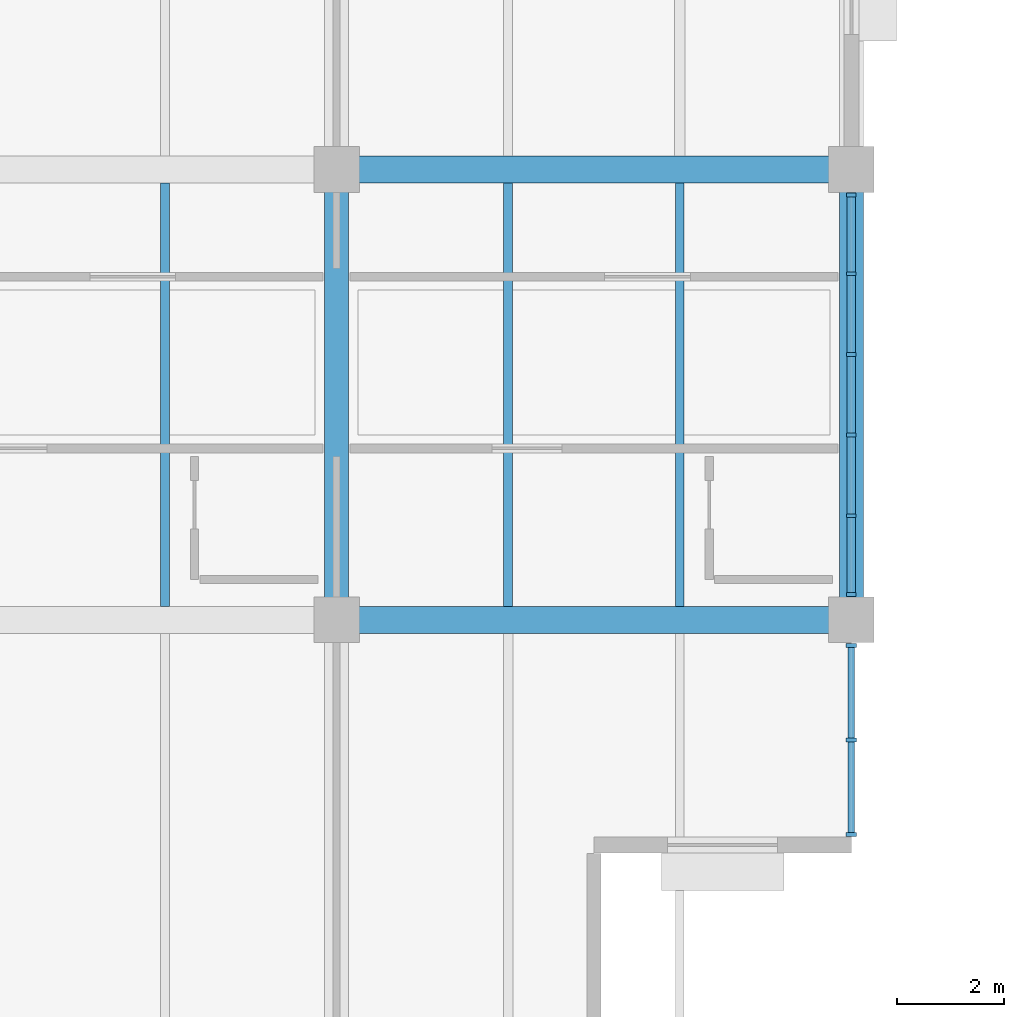
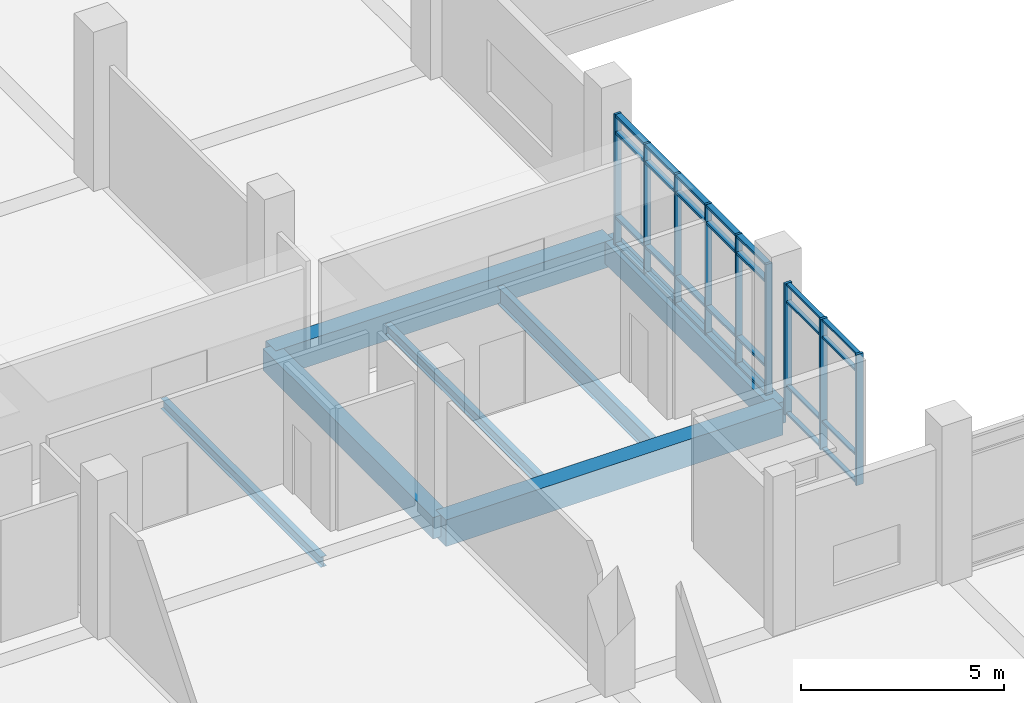
# One storey, part 67 of 152: 37 members, 7 beams, 2 elements without a shape of their own.
"""IFC4 building model written with IfcOpenShell, lengths in metres."""

from ifc_helpers import new_model, si_unit, direction, frame, origin, origin_2d, place, context, subcontext, project, spatial, rectangle, i_section, extrude, material, material_profile, profile_set, type_object, element, aggregate, save


model = new_model("IFC4")

# Units and contexts
model_context = context("Model", 3, precision=1e-05, world=origin(), true_north=direction((0.0, 1.0)))
body_context = subcontext(model_context, "Body", "Model", "MODEL_VIEW")
ifc_project = project(units=[si_unit("LENGTHUNIT", "METRE"), si_unit("AREAUNIT", "SQUARE_METRE"), si_unit("VOLUMEUNIT", "CUBIC_METRE"), si_unit("PLANEANGLEUNIT", "RADIAN"), si_unit("MASSUNIT", "GRAM", prefix="KILO")], contexts=[model_context])

# Site, building, storey
site_placement = place(None, origin())
site = spatial("IfcSite", under=ifc_project, at=site_placement, CompositionType="ELEMENT")
building_placement = place(site_placement, origin())
building = spatial("IfcBuilding", under=site, at=building_placement, Name="Oolite Switchyard Hospital", CompositionType="ELEMENT")
storey_placement = place(building_placement, frame((0.0, 0.0, 5.10009765625)))
storey = spatial("IfcBuildingStorey", under=building, at=storey_placement, Name="L01", CompositionType="ELEMENT", Elevation=5.10009765625)

# Beams
ifc_material_1 = material(Name="Concrete C40/50", Category="concrete")
ifc_material_profile_1 = material_profile(ifc_material_1, rectangle(XDim=0.449951171875, YDim=0.64990234375, at=origin_2d()), Name="RCB450X650")
ifc_profile_set_1 = profile_set([ifc_material_profile_1], Name="Concrete C40/50")
beam_type_1 = type_object("IfcBeamType", Name="BM-RC450X650", PredefinedType="BEAM", material=ifc_profile_set_1)
for number, where, z_axis, x_axis, name in (
    (1, (163.199951171875, 84.0, -0.3251953125), (0.0, 1.0, 0.0), (-1.0, 0.0, 0.0), "L01 Y-Girder 493"),
    (2, (172.800048828125, 84.0, -0.3251953125), (0.0, 1.0, 0.0), (-1.0, 0.0, 0.0), "L01 Y-Girder 503"),
):
    element("IfcBeam", number, at=place(storey_placement, frame(where, z_axis=z_axis, x_axis=x_axis)), inside=storey, type_object=beam_type_1, Name=name, PredefinedType="BEAM", context=body_context, shape_type="SweptSolid", body=[
        extrude(rectangle(XDim=0.449951171875, YDim=0.64990234375, at=origin_2d()), origin(), (0.0, 0.0, 1.0), 8.39990234375),
    ])
ifc_material_profile_2 = material_profile(ifc_material_1, rectangle(XDim=0.5, YDim=0.800048828125, at=origin_2d()), Name="RCB500X800")
ifc_profile_set_2 = profile_set([ifc_material_profile_2], Name="Concrete C40/50")
beam_type_2 = type_object("IfcBeamType", Name="BM-RC500X800", PredefinedType="BEAM", material=ifc_profile_set_2)
for number, where, z_axis, x_axis, name in (
    (3, (163.199951171875, 84.0, -0.400146484375), (1.0, 0.0, 0.0), (0.0, 1.0, 0.0), "L01 X-Girder 180"),
    (4, (163.199951171875, 92.39990234375, -0.400146484375), (1.0, 0.0, 0.0), (0.0, 1.0, 0.0), "L01 X-Girder 196"),
):
    element("IfcBeam", number, at=place(storey_placement, frame(where, z_axis=z_axis, x_axis=x_axis)), inside=storey, type_object=beam_type_2, Name=name, PredefinedType="BEAM", context=body_context, shape_type="SweptSolid", body=[
        extrude(rectangle(XDim=0.5, YDim=0.800048828125, at=origin_2d()), origin(), (0.0, 0.0, 1.0), 9.60009765625),
    ])
ifc_material_2 = material(Name="Steel ASTM A992 Grade 50", Category="steel")
ifc_material_profile_3 = material_profile(ifc_material_2, i_section(OverallWidth=0.1650390625, OverallDepth=0.31005859375, WebThickness=0.006103515625, FlangeThickness=0.010009765625, at=origin_2d()), Name="W12X26")
ifc_profile_set_3 = profile_set([ifc_material_profile_3], Name="Steel ASTM A992 Grade 50")
beam_type_3 = type_object("IfcBeamType", Name="BM-W12X26", PredefinedType="JOIST", material=ifc_profile_set_3)
for number, where, z_axis, x_axis, name in (
    (5, (160.0, 84.25, -0.43017578125), (0.0, 1.0, 0.0), (-1.0, 0.0, 0.0), "L01 Secondary Steel Joist 883"),
    (6, (166.39990234375, 84.25, -0.43017578125), (0.0, 1.0, 0.0), (-1.0, 0.0, 0.0), "L01 Secondary Steel Joist 902"),
):
    element("IfcBeam", number, at=place(storey_placement, frame(where, z_axis=z_axis, x_axis=x_axis)), inside=storey, type_object=beam_type_3, Name=name, PredefinedType="JOIST", context=body_context, shape_type="SweptSolid", body=[
        extrude(i_section(OverallWidth=0.1650390625, OverallDepth=0.31005859375, WebThickness=0.006103515625, FlangeThickness=0.010009765625, at=origin_2d()), origin(), (0.0, 0.0, 1.0), 7.89990234375),
    ])
ifc_material_profile_4 = material_profile(ifc_material_2, i_section(OverallWidth=0.166015625, OverallDepth=0.529052734375, WebThickness=0.010009765625, FlangeThickness=0.013916015625, at=origin_2d()), Name="W21X50")
ifc_profile_set_4 = profile_set([ifc_material_profile_4], Name="Steel ASTM A992 Grade 50")
beam_type_4 = type_object("IfcBeamType", Name="BM-W21X50", PredefinedType="JOIST", material=ifc_profile_set_4)
beam_placement = place(storey_placement, frame((169.60009765625, 84.25, -0.5400390625), z_axis=(0.0, 1.0, 0.0), x_axis=(-1.0, 0.0, 0.0)))
element("IfcBeam", 7, at=beam_placement, inside=storey, type_object=beam_type_4, Name="L01 Secondary Steel Joist 903", PredefinedType="JOIST", context=body_context, shape_type="SweptSolid", body=[
    extrude(i_section(OverallWidth=0.166015625, OverallDepth=0.529052734375, WebThickness=0.010009765625, FlangeThickness=0.013916015625, at=origin_2d()), origin(), (0.0, 0.0, 1.0), 7.89990234375),
])

# Curtain wall, members
ifc_material_3 = material(Name="Thermally broken aluminum frame with laminated impact glazing", Category="aluminium")
curtain_wall_type = type_object("IfcCurtainWallType", Name="CW-UNIT-84X48", PredefinedType="USERDEFINED", material=ifc_material_3)
curtain_wall_1_placement = place(storey_placement, origin())
curtain_wall_1 = element("IfcCurtainWall", 8, at=curtain_wall_1_placement, inside=storey, type_object=curtain_wall_type, Name="L01 Unitised Curtain Wall 195", ObjectType="UNITISED", PredefinedType="USERDEFINED")
ifc_material_4 = material(Name="Aluminium 6063-T6", Category="aluminium")
ifc_material_profile_5 = material_profile(ifc_material_4, rectangle(XDim=0.179931640625, YDim=0.070068359375, at=origin_2d()), Name="CWM70X180")
ifc_profile_set_5 = profile_set([ifc_material_profile_5], Name="Aluminium 6063-T6")
member_type_1 = type_object("IfcMemberType", Name="CW-MUL-220", PredefinedType="MULLION", material=ifc_profile_set_5)
member_1_placement = place(storey_placement, frame((172.800048828125, 91.925048828125, 0.0), z_axis=(0.0, 0.0, 1.0), x_axis=(1.0, 0.0, 0.0)))
member_1 = element("IfcMember", 9, at=member_1_placement, type_object=member_type_1, Name="CW-07 mullion 1", PredefinedType="MULLION", context=body_context, shape_type="SweptSolid", body=[
    extrude(rectangle(XDim=0.179931640625, YDim=0.070068359375, at=origin_2d()), origin(), (0.0, 0.0, 1.0), 3.93994140625),
])
member_2_placement = place(storey_placement, frame((172.800048828125, 90.4560546875, 0.0), z_axis=(0.0, 0.0, 1.0), x_axis=(1.0, 0.0, 0.0)))
member_2 = element("IfcMember", 10, at=member_2_placement, type_object=member_type_1, Name="CW-07 mullion 2", PredefinedType="MULLION", context=body_context, shape_type="SweptSolid", body=[
    extrude(rectangle(XDim=0.179931640625, YDim=0.070068359375, at=origin_2d()), origin(), (0.0, 0.0, 1.0), 3.93994140625),
])
member_3_placement = place(storey_placement, frame((172.800048828125, 88.951904296875, 0.0), z_axis=(0.0, 0.0, 1.0), x_axis=(1.0, 0.0, 0.0)))
member_3 = element("IfcMember", 11, at=member_3_placement, type_object=member_type_1, Name="CW-07 mullion 3", PredefinedType="MULLION", context=body_context, shape_type="SweptSolid", body=[
    extrude(rectangle(XDim=0.179931640625, YDim=0.070068359375, at=origin_2d()), origin(), (0.0, 0.0, 1.0), 3.93994140625),
])
member_4_placement = place(storey_placement, frame((172.800048828125, 87.447998046875, 0.0), z_axis=(0.0, 0.0, 1.0), x_axis=(1.0, 0.0, 0.0)))
member_4 = element("IfcMember", 12, at=member_4_placement, type_object=member_type_1, Name="CW-07 mullion 4", PredefinedType="MULLION", context=body_context, shape_type="SweptSolid", body=[
    extrude(rectangle(XDim=0.179931640625, YDim=0.070068359375, at=origin_2d()), origin(), (0.0, 0.0, 1.0), 3.93994140625),
])
member_5_placement = place(storey_placement, frame((172.800048828125, 85.944091796875, 0.0), z_axis=(0.0, 0.0, 1.0), x_axis=(1.0, 0.0, 0.0)))
member_5 = element("IfcMember", 13, at=member_5_placement, type_object=member_type_1, Name="CW-07 mullion 5", PredefinedType="MULLION", context=body_context, shape_type="SweptSolid", body=[
    extrude(rectangle(XDim=0.179931640625, YDim=0.070068359375, at=origin_2d()), origin(), (0.0, 0.0, 1.0), 3.93994140625),
])
member_6_placement = place(storey_placement, frame((172.800048828125, 84.47509765625, 0.0), z_axis=(0.0, 0.0, 1.0), x_axis=(1.0, 0.0, 0.0)))
member_6 = element("IfcMember", 14, at=member_6_placement, type_object=member_type_1, Name="CW-07 mullion 6", PredefinedType="MULLION", context=body_context, shape_type="SweptSolid", body=[
    extrude(rectangle(XDim=0.179931640625, YDim=0.070068359375, at=origin_2d()), origin(), (0.0, 0.0, 1.0), 3.93994140625),
])

curtain_wall_2_placement = place(storey_placement, origin())
curtain_wall_2 = element("IfcCurtainWall", 15, at=curtain_wall_2_placement, inside=storey, type_object=curtain_wall_type, Name="L01 Unitised Curtain Wall 196", ObjectType="UNITISED", PredefinedType="USERDEFINED")
ifc_material_profile_6 = material_profile(ifc_material_4, rectangle(XDim=0.199951171875, YDim=0.074951171875, at=origin_2d()), Name="CWM75X200")
ifc_profile_set_6 = profile_set([ifc_material_profile_6], Name="Aluminium 6063-T6")
member_type_2 = type_object("IfcMemberType", Name="CW-MUL-260", PredefinedType="MULLION", material=ifc_profile_set_6)
member_7_placement = place(storey_placement, frame((172.800048828125, 83.5224609375, 0.0), z_axis=(0.0, 0.0, 1.0), x_axis=(1.0, 0.0, 0.0)))
member_7 = element("IfcMember", 16, at=member_7_placement, type_object=member_type_2, Name="CW-07 mullion 1", PredefinedType="MULLION", context=body_context, shape_type="SweptSolid", body=[
    extrude(rectangle(XDim=0.199951171875, YDim=0.074951171875, at=origin_2d()), origin(), (0.0, 0.0, 1.0), 3.93994140625),
])
member_8_placement = place(storey_placement, frame((172.800048828125, 81.760009765625, 0.0), z_axis=(0.0, 0.0, 1.0), x_axis=(1.0, 0.0, 0.0)))
member_8 = element("IfcMember", 17, at=member_8_placement, type_object=member_type_2, Name="CW-07 mullion 2", PredefinedType="MULLION", context=body_context, shape_type="SweptSolid", body=[
    extrude(rectangle(XDim=0.199951171875, YDim=0.074951171875, at=origin_2d()), origin(), (0.0, 0.0, 1.0), 3.93994140625),
])
member_9_placement = place(storey_placement, frame((172.800048828125, 79.99755859375, 0.0), z_axis=(0.0, 0.0, 1.0), x_axis=(1.0, 0.0, 0.0)))
member_9 = element("IfcMember", 18, at=member_9_placement, type_object=member_type_2, Name="CW-07 mullion 3", PredefinedType="MULLION", context=body_context, shape_type="SweptSolid", body=[
    extrude(rectangle(XDim=0.199951171875, YDim=0.074951171875, at=origin_2d()), origin(), (0.0, 0.0, 1.0), 3.93994140625),
])
ifc_material_profile_7 = material_profile(ifc_material_4, rectangle(XDim=0.1201171875, YDim=0.06005859375, at=origin_2d()), Name="CWT60X120")
ifc_profile_set_7 = profile_set([ifc_material_profile_7], Name="Aluminium 6063-T6")
member_type_3 = type_object("IfcMemberType", Name="CW-TRN-150", PredefinedType="USERDEFINED", material=ifc_profile_set_7)
member_10_placement = place(storey_placement, frame((172.800048828125, 83.485107421875, 0.02978515625), z_axis=(0.0, -1.0, 0.0), x_axis=(1.0, 0.0, 0.0)))
member_10 = element("IfcMember", 19, at=member_10_placement, type_object=member_type_3, Name="CW-07 transom 1.1", ObjectType="TRANSOM", PredefinedType="USERDEFINED", context=body_context, shape_type="SweptSolid", body=[
    extrude(rectangle(XDim=0.1201171875, YDim=0.06005859375, at=origin_2d()), origin(), (0.0, 0.0, 1.0), 1.6875),
])
member_11_placement = place(storey_placement, frame((172.800048828125, 83.485107421875, 0.849853515625), z_axis=(0.0, -1.0, 0.0), x_axis=(1.0, 0.0, 0.0)))
member_11 = element("IfcMember", 20, at=member_11_placement, type_object=member_type_3, Name="CW-07 transom 1.2", ObjectType="TRANSOM", PredefinedType="USERDEFINED", context=body_context, shape_type="SweptSolid", body=[
    extrude(rectangle(XDim=0.1201171875, YDim=0.06005859375, at=origin_2d()), origin(), (0.0, 0.0, 1.0), 1.6875),
])
member_12_placement = place(storey_placement, frame((172.800048828125, 83.485107421875, 3.389892578125), z_axis=(0.0, -1.0, 0.0), x_axis=(1.0, 0.0, 0.0)))
member_12 = element("IfcMember", 21, at=member_12_placement, type_object=member_type_3, Name="CW-07 transom 1.3", ObjectType="TRANSOM", PredefinedType="USERDEFINED", context=body_context, shape_type="SweptSolid", body=[
    extrude(rectangle(XDim=0.1201171875, YDim=0.06005859375, at=origin_2d()), origin(), (0.0, 0.0, 1.0), 1.6875),
])
member_13_placement = place(storey_placement, frame((172.800048828125, 83.485107421875, 3.909912109375), z_axis=(0.0, -1.0, 0.0), x_axis=(1.0, 0.0, 0.0)))
member_13 = element("IfcMember", 22, at=member_13_placement, type_object=member_type_3, Name="CW-07 transom 1.4", ObjectType="TRANSOM", PredefinedType="USERDEFINED", context=body_context, shape_type="SweptSolid", body=[
    extrude(rectangle(XDim=0.1201171875, YDim=0.06005859375, at=origin_2d()), origin(), (0.0, 0.0, 1.0), 1.6875),
])
member_14_placement = place(storey_placement, frame((172.800048828125, 81.722412109375, 0.02978515625), z_axis=(0.0, -1.0, 0.0), x_axis=(1.0, 0.0, 0.0)))
member_14 = element("IfcMember", 23, at=member_14_placement, type_object=member_type_3, Name="CW-07 transom 2.1", ObjectType="TRANSOM", PredefinedType="USERDEFINED", context=body_context, shape_type="SweptSolid", body=[
    extrude(rectangle(XDim=0.1201171875, YDim=0.06005859375, at=origin_2d()), origin(), (0.0, 0.0, 1.0), 1.6875),
])
member_15_placement = place(storey_placement, frame((172.800048828125, 81.722412109375, 0.849853515625), z_axis=(0.0, -1.0, 0.0), x_axis=(1.0, 0.0, 0.0)))
member_15 = element("IfcMember", 24, at=member_15_placement, type_object=member_type_3, Name="CW-07 transom 2.2", ObjectType="TRANSOM", PredefinedType="USERDEFINED", context=body_context, shape_type="SweptSolid", body=[
    extrude(rectangle(XDim=0.1201171875, YDim=0.06005859375, at=origin_2d()), origin(), (0.0, 0.0, 1.0), 1.6875),
])
member_16_placement = place(storey_placement, frame((172.800048828125, 81.722412109375, 3.389892578125), z_axis=(0.0, -1.0, 0.0), x_axis=(1.0, 0.0, 0.0)))
member_16 = element("IfcMember", 25, at=member_16_placement, type_object=member_type_3, Name="CW-07 transom 2.3", ObjectType="TRANSOM", PredefinedType="USERDEFINED", context=body_context, shape_type="SweptSolid", body=[
    extrude(rectangle(XDim=0.1201171875, YDim=0.06005859375, at=origin_2d()), origin(), (0.0, 0.0, 1.0), 1.6875),
])
member_17_placement = place(storey_placement, frame((172.800048828125, 81.722412109375, 3.909912109375), z_axis=(0.0, -1.0, 0.0), x_axis=(1.0, 0.0, 0.0)))
member_17 = element("IfcMember", 26, at=member_17_placement, type_object=member_type_3, Name="CW-07 transom 2.4", ObjectType="TRANSOM", PredefinedType="USERDEFINED", context=body_context, shape_type="SweptSolid", body=[
    extrude(rectangle(XDim=0.1201171875, YDim=0.06005859375, at=origin_2d()), origin(), (0.0, 0.0, 1.0), 1.6875),
])
aggregate(curtain_wall_2, [member_7, member_8, member_9, member_10, member_11, member_12, member_13, member_14, member_15, member_16, member_17])

# Member
ifc_material_profile_8 = material_profile(ifc_material_4, rectangle(XDim=0.159912109375, YDim=0.074951171875, at=origin_2d()), Name="CWT75X160")
ifc_profile_set_8 = profile_set([ifc_material_profile_8], Name="Aluminium 6063-T6")
member_type_4 = type_object("IfcMemberType", Name="CW-TRN-180", PredefinedType="USERDEFINED", material=ifc_profile_set_8)
member_18_placement = place(storey_placement, frame((172.800048828125, 91.889892578125, 0.037353515625), z_axis=(0.0, -1.0, 0.0), x_axis=(1.0, 0.0, 0.0)))
member_18 = element("IfcMember", 27, at=member_18_placement, type_object=member_type_4, Name="CW-07 transom 1.1", ObjectType="TRANSOM", PredefinedType="USERDEFINED", context=body_context, shape_type="SweptSolid", body=[
    extrude(rectangle(XDim=0.159912109375, YDim=0.074951171875, at=origin_2d()), origin(), (0.0, 0.0, 1.0), 1.39892578125),
])

member_19_placement = place(storey_placement, frame((172.800048828125, 91.889892578125, 0.849853515625), z_axis=(0.0, -1.0, 0.0), x_axis=(1.0, 0.0, 0.0)))
member_19 = element("IfcMember", 28, at=member_19_placement, type_object=member_type_4, Name="CW-07 transom 1.2", ObjectType="TRANSOM", PredefinedType="USERDEFINED", context=body_context, shape_type="SweptSolid", body=[
    extrude(rectangle(XDim=0.159912109375, YDim=0.074951171875, at=origin_2d()), origin(), (0.0, 0.0, 1.0), 1.39892578125),
])

member_20_placement = place(storey_placement, frame((172.800048828125, 91.889892578125, 3.389892578125), z_axis=(0.0, -1.0, 0.0), x_axis=(1.0, 0.0, 0.0)))
member_20 = element("IfcMember", 29, at=member_20_placement, type_object=member_type_4, Name="CW-07 transom 1.3", ObjectType="TRANSOM", PredefinedType="USERDEFINED", context=body_context, shape_type="SweptSolid", body=[
    extrude(rectangle(XDim=0.159912109375, YDim=0.074951171875, at=origin_2d()), origin(), (0.0, 0.0, 1.0), 1.39892578125),
])

member_21_placement = place(storey_placement, frame((172.800048828125, 91.889892578125, 3.90234375), z_axis=(0.0, -1.0, 0.0), x_axis=(1.0, 0.0, 0.0)))
member_21 = element("IfcMember", 30, at=member_21_placement, type_object=member_type_4, Name="CW-07 transom 1.4", ObjectType="TRANSOM", PredefinedType="USERDEFINED", context=body_context, shape_type="SweptSolid", body=[
    extrude(rectangle(XDim=0.159912109375, YDim=0.074951171875, at=origin_2d()), origin(), (0.0, 0.0, 1.0), 1.39892578125),
])

member_22_placement = place(storey_placement, frame((172.800048828125, 90.4208984375, 0.037353515625), z_axis=(0.0, -1.0, 0.0), x_axis=(1.0, 0.0, 0.0)))
member_22 = element("IfcMember", 31, at=member_22_placement, type_object=member_type_4, Name="CW-07 transom 2.1", ObjectType="TRANSOM", PredefinedType="USERDEFINED", context=body_context, shape_type="SweptSolid", body=[
    extrude(rectangle(XDim=0.159912109375, YDim=0.074951171875, at=origin_2d()), origin(), (0.0, 0.0, 1.0), 1.433837890625),
])

member_23_placement = place(storey_placement, frame((172.800048828125, 90.4208984375, 0.849853515625), z_axis=(0.0, -1.0, 0.0), x_axis=(1.0, 0.0, 0.0)))
member_23 = element("IfcMember", 32, at=member_23_placement, type_object=member_type_4, Name="CW-07 transom 2.2", ObjectType="TRANSOM", PredefinedType="USERDEFINED", context=body_context, shape_type="SweptSolid", body=[
    extrude(rectangle(XDim=0.159912109375, YDim=0.074951171875, at=origin_2d()), origin(), (0.0, 0.0, 1.0), 1.433837890625),
])

member_24_placement = place(storey_placement, frame((172.800048828125, 90.4208984375, 3.389892578125), z_axis=(0.0, -1.0, 0.0), x_axis=(1.0, 0.0, 0.0)))
member_24 = element("IfcMember", 33, at=member_24_placement, type_object=member_type_4, Name="CW-07 transom 2.3", ObjectType="TRANSOM", PredefinedType="USERDEFINED", context=body_context, shape_type="SweptSolid", body=[
    extrude(rectangle(XDim=0.159912109375, YDim=0.074951171875, at=origin_2d()), origin(), (0.0, 0.0, 1.0), 1.433837890625),
])

member_25_placement = place(storey_placement, frame((172.800048828125, 90.4208984375, 3.90234375), z_axis=(0.0, -1.0, 0.0), x_axis=(1.0, 0.0, 0.0)))
member_25 = element("IfcMember", 34, at=member_25_placement, type_object=member_type_4, Name="CW-07 transom 2.4", ObjectType="TRANSOM", PredefinedType="USERDEFINED", context=body_context, shape_type="SweptSolid", body=[
    extrude(rectangle(XDim=0.159912109375, YDim=0.074951171875, at=origin_2d()), origin(), (0.0, 0.0, 1.0), 1.433837890625),
])

member_26_placement = place(storey_placement, frame((172.800048828125, 88.9169921875, 0.037353515625), z_axis=(0.0, -1.0, 0.0), x_axis=(1.0, 0.0, 0.0)))
member_26 = element("IfcMember", 35, at=member_26_placement, type_object=member_type_4, Name="CW-07 transom 3.1", ObjectType="TRANSOM", PredefinedType="USERDEFINED", context=body_context, shape_type="SweptSolid", body=[
    extrude(rectangle(XDim=0.159912109375, YDim=0.074951171875, at=origin_2d()), origin(), (0.0, 0.0, 1.0), 1.43408203125),
])

member_27_placement = place(storey_placement, frame((172.800048828125, 88.9169921875, 0.849853515625), z_axis=(0.0, -1.0, 0.0), x_axis=(1.0, 0.0, 0.0)))
member_27 = element("IfcMember", 36, at=member_27_placement, type_object=member_type_4, Name="CW-07 transom 3.2", ObjectType="TRANSOM", PredefinedType="USERDEFINED", context=body_context, shape_type="SweptSolid", body=[
    extrude(rectangle(XDim=0.159912109375, YDim=0.074951171875, at=origin_2d()), origin(), (0.0, 0.0, 1.0), 1.43408203125),
])

member_28_placement = place(storey_placement, frame((172.800048828125, 88.9169921875, 3.389892578125), z_axis=(0.0, -1.0, 0.0), x_axis=(1.0, 0.0, 0.0)))
member_28 = element("IfcMember", 37, at=member_28_placement, type_object=member_type_4, Name="CW-07 transom 3.3", ObjectType="TRANSOM", PredefinedType="USERDEFINED", context=body_context, shape_type="SweptSolid", body=[
    extrude(rectangle(XDim=0.159912109375, YDim=0.074951171875, at=origin_2d()), origin(), (0.0, 0.0, 1.0), 1.43408203125),
])

member_29_placement = place(storey_placement, frame((172.800048828125, 88.9169921875, 3.90234375), z_axis=(0.0, -1.0, 0.0), x_axis=(1.0, 0.0, 0.0)))
member_29 = element("IfcMember", 38, at=member_29_placement, type_object=member_type_4, Name="CW-07 transom 3.4", ObjectType="TRANSOM", PredefinedType="USERDEFINED", context=body_context, shape_type="SweptSolid", body=[
    extrude(rectangle(XDim=0.159912109375, YDim=0.074951171875, at=origin_2d()), origin(), (0.0, 0.0, 1.0), 1.43408203125),
])

member_30_placement = place(storey_placement, frame((172.800048828125, 87.4130859375, 0.037353515625), z_axis=(0.0, -1.0, 0.0), x_axis=(1.0, 0.0, 0.0)))
member_30 = element("IfcMember", 39, at=member_30_placement, type_object=member_type_4, Name="CW-07 transom 4.1", ObjectType="TRANSOM", PredefinedType="USERDEFINED", context=body_context, shape_type="SweptSolid", body=[
    extrude(rectangle(XDim=0.159912109375, YDim=0.074951171875, at=origin_2d()), origin(), (0.0, 0.0, 1.0), 1.43408203125),
])

member_31_placement = place(storey_placement, frame((172.800048828125, 87.4130859375, 0.849853515625), z_axis=(0.0, -1.0, 0.0), x_axis=(1.0, 0.0, 0.0)))
member_31 = element("IfcMember", 40, at=member_31_placement, type_object=member_type_4, Name="CW-07 transom 4.2", ObjectType="TRANSOM", PredefinedType="USERDEFINED", context=body_context, shape_type="SweptSolid", body=[
    extrude(rectangle(XDim=0.159912109375, YDim=0.074951171875, at=origin_2d()), origin(), (0.0, 0.0, 1.0), 1.43408203125),
])

member_32_placement = place(storey_placement, frame((172.800048828125, 87.4130859375, 3.389892578125), z_axis=(0.0, -1.0, 0.0), x_axis=(1.0, 0.0, 0.0)))
member_32 = element("IfcMember", 41, at=member_32_placement, type_object=member_type_4, Name="CW-07 transom 4.3", ObjectType="TRANSOM", PredefinedType="USERDEFINED", context=body_context, shape_type="SweptSolid", body=[
    extrude(rectangle(XDim=0.159912109375, YDim=0.074951171875, at=origin_2d()), origin(), (0.0, 0.0, 1.0), 1.43408203125),
])

member_33_placement = place(storey_placement, frame((172.800048828125, 87.4130859375, 3.90234375), z_axis=(0.0, -1.0, 0.0), x_axis=(1.0, 0.0, 0.0)))
member_33 = element("IfcMember", 42, at=member_33_placement, type_object=member_type_4, Name="CW-07 transom 4.4", ObjectType="TRANSOM", PredefinedType="USERDEFINED", context=body_context, shape_type="SweptSolid", body=[
    extrude(rectangle(XDim=0.159912109375, YDim=0.074951171875, at=origin_2d()), origin(), (0.0, 0.0, 1.0), 1.43408203125),
])

member_34_placement = place(storey_placement, frame((172.800048828125, 85.908935546875, 0.037353515625), z_axis=(0.0, -1.0, 0.0), x_axis=(1.0, 0.0, 0.0)))
member_34 = element("IfcMember", 43, at=member_34_placement, type_object=member_type_4, Name="CW-07 transom 5.1", ObjectType="TRANSOM", PredefinedType="USERDEFINED", context=body_context, shape_type="SweptSolid", body=[
    extrude(rectangle(XDim=0.159912109375, YDim=0.074951171875, at=origin_2d()), origin(), (0.0, 0.0, 1.0), 1.39892578125),
])

member_35_placement = place(storey_placement, frame((172.800048828125, 85.908935546875, 0.849853515625), z_axis=(0.0, -1.0, 0.0), x_axis=(1.0, 0.0, 0.0)))
member_35 = element("IfcMember", 44, at=member_35_placement, type_object=member_type_4, Name="CW-07 transom 5.2", ObjectType="TRANSOM", PredefinedType="USERDEFINED", context=body_context, shape_type="SweptSolid", body=[
    extrude(rectangle(XDim=0.159912109375, YDim=0.074951171875, at=origin_2d()), origin(), (0.0, 0.0, 1.0), 1.39892578125),
])

member_36_placement = place(storey_placement, frame((172.800048828125, 85.908935546875, 3.389892578125), z_axis=(0.0, -1.0, 0.0), x_axis=(1.0, 0.0, 0.0)))
member_36 = element("IfcMember", 45, at=member_36_placement, type_object=member_type_4, Name="CW-07 transom 5.3", ObjectType="TRANSOM", PredefinedType="USERDEFINED", context=body_context, shape_type="SweptSolid", body=[
    extrude(rectangle(XDim=0.159912109375, YDim=0.074951171875, at=origin_2d()), origin(), (0.0, 0.0, 1.0), 1.39892578125),
])

member_37_placement = place(storey_placement, frame((172.800048828125, 85.908935546875, 3.90234375), z_axis=(0.0, -1.0, 0.0), x_axis=(1.0, 0.0, 0.0)))
member_37 = element("IfcMember", 46, at=member_37_placement, type_object=member_type_4, Name="CW-07 transom 5.4", ObjectType="TRANSOM", PredefinedType="USERDEFINED", context=body_context, shape_type="SweptSolid", body=[
    extrude(rectangle(XDim=0.159912109375, YDim=0.074951171875, at=origin_2d()), origin(), (0.0, 0.0, 1.0), 1.39892578125),
])

aggregate(curtain_wall_1, [member_1, member_2, member_3, member_4, member_5, member_6, member_18, member_19, member_20, member_21, member_22, member_23, member_24, member_25, member_26, member_27, member_28, member_29, member_30, member_31, member_32, member_33, member_34, member_35, member_36, member_37])

save(model, "model.ifc")
